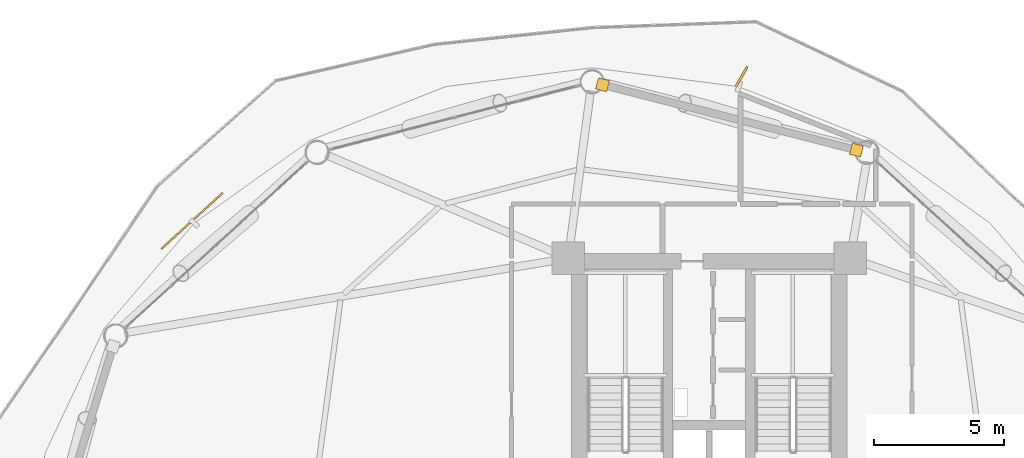
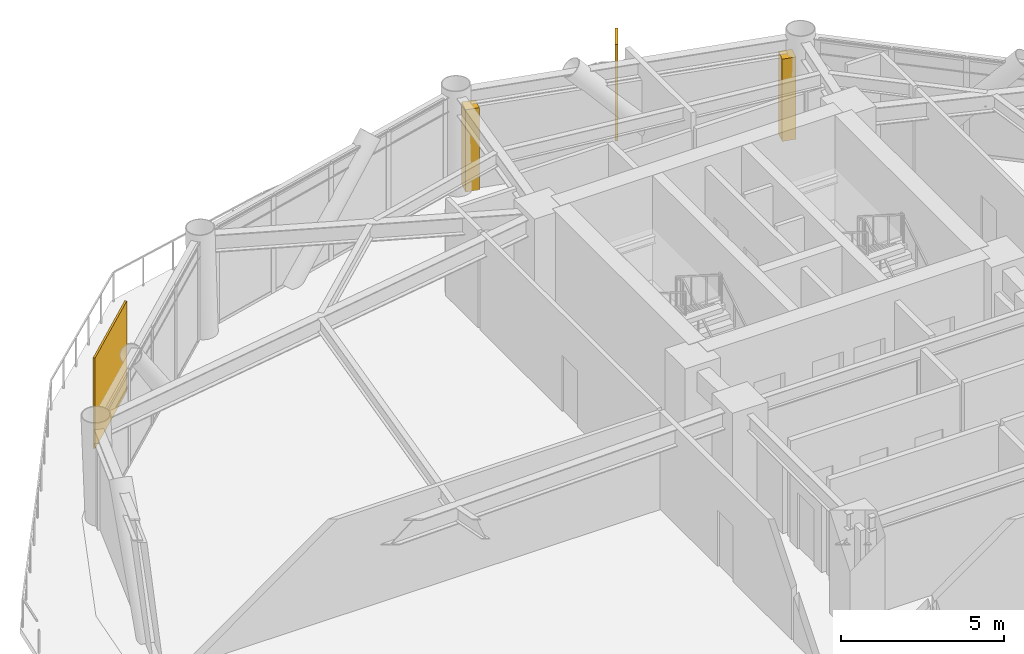
# One storey, part 25 of 25: 2 coverings, 2 shading devices.
"""IFC4 building model written with IfcOpenShell, lengths in metres."""

from ifc_helpers import new_model, si_unit, direction, frame, origin, origin_2d, place, context, subcontext, project, spatial, rectangle, extrude, source, transform, mapped, material, layer, layer_set, type_object, type_shapes, element, save


model = new_model("IFC4")

# Units and contexts
model_context = context("Model", 3, precision=1e-05, world=origin(), true_north=direction((0.0, 1.0)))
body_context = subcontext(model_context, "Body", "Model", "MODEL_VIEW")
ifc_project = project(units=[si_unit("LENGTHUNIT", "METRE"), si_unit("AREAUNIT", "SQUARE_METRE"), si_unit("VOLUMEUNIT", "CUBIC_METRE"), si_unit("PLANEANGLEUNIT", "RADIAN"), si_unit("MASSUNIT", "GRAM", prefix="KILO")], contexts=[model_context])

# Site, building, storey
site_placement = place(None, origin())
site = spatial("IfcSite", under=ifc_project, at=site_placement, CompositionType="ELEMENT")
building_placement = place(site_placement, origin())
building = spatial("IfcBuilding", under=site, at=building_placement, Name="Varnakorn Sky Granary", CompositionType="ELEMENT")
storey_placement = place(building_placement, frame((0.0, 0.0, 54.89990234375)))
storey = spatial("IfcBuildingStorey", under=building, at=storey_placement, Name="L13", CompositionType="ELEMENT", Elevation=54.89990234375)

# Shading device
ifc_material = material(Name="Anodised Bronze Aluminium Alloy 6063-T6", Category="aluminium")
shading_device_type_1 = type_object("IfcShadingDeviceType", Name="SH-FIN-01", PredefinedType="USERDEFINED", material=ifc_material)
shared_shape_1 = source(origin(), body_context, "Body", "SweptSolid", [
    extrude(rectangle(XDim=0.0849609375, YDim=0.8798828125, at=origin_2d()), origin(), (0.0, 0.0, 1.0), 3.60009765625),
])
type_shapes(shading_device_type_1, [shared_shape_1])
shading_device_1_placement = place(storey_placement, frame((4.246826171875, 19.597412109375, -0.0400390625), z_axis=(0.0, 0.0, 1.0), x_axis=(-0.867679822068, 0.497123451846, 0.0)))
element("IfcShadingDevice", 1, at=shading_device_1_placement, inside=storey, type_object=shading_device_type_1, Name="Bronze Solar-Tracking Vertical Blade FIN L13-03", ObjectType="FIN", PredefinedType="USERDEFINED", context=body_context, shape_type="MappedRepresentation", body=[
    mapped(shared_shape_1, transform((0.0, 0.0, 0.0), x_axis=(1.0, 0.0, 0.0), y_axis=(0.0, 1.0, 0.0), z_axis=(0.0, 0.0, 1.0), scale=1.0)),
])

# Coverings
ifc_layer = layer(ifc_material, 0.050048828125, Name="Anodised Bronze Aluminium Alloy 6063-T6")
ifc_layer_set = layer_set([ifc_layer], Name="Anodised Bronze Aluminium Alloy 6063-T6")
covering_type = type_object("IfcCoveringType", Name="CV-CLAD-50", PredefinedType="CLADDING", material=ifc_layer_set)
shared_shape_2 = source(origin(), body_context, "Body", "SweptSolid", [
    extrude(rectangle(XDim=0.43994140625, YDim=0.43994140625, at=origin_2d()), origin(), (0.0, 0.0, 1.0), 3.080078125),
])
type_shapes(covering_type, [shared_shape_2])
for number, where, z_axis, x_axis, name in (
    (2, (-1.10107421875, 19.284423828125, -0.02001953125), (0.0, 0.0, 1.0), (0.968496292974, -0.249027971312, 0.0), "Bronze Corner Pilaster Closure L13-P03-A"),
    (3, (8.660400390625, 16.775390625, -0.02001953125), (0.0, 0.0, 1.0), (0.968496292974, -0.249027971312, 0.0), "Bronze Corner Pilaster Closure L13-P03-B"),
):
    element("IfcCovering", number, at=place(storey_placement, frame(where, z_axis=z_axis, x_axis=x_axis)), inside=storey, type_object=covering_type, Name=name, PredefinedType="CLADDING", context=body_context, shape_type="MappedRepresentation", body=[
        mapped(shared_shape_2, transform((0.0, 0.0, 0.0), x_axis=(1.0, 0.0, 0.0), y_axis=(0.0, 1.0, 0.0), z_axis=(0.0, 0.0, 1.0), scale=1.0)),
    ])

# Shading device
shading_device_type_2 = type_object("IfcShadingDeviceType", Name="SH-SCR-01", PredefinedType="USERDEFINED", material=ifc_material)
shared_shape_3 = source(origin(), body_context, "Body", "SweptSolid", [
    extrude(rectangle(XDim=3.199951171875, YDim=0.06494140625, at=origin_2d()), origin(), (0.0, 0.0, 1.0), 3.39990234375),
])
type_shapes(shading_device_type_2, [shared_shape_3])
shading_device_2_placement = place(storey_placement, frame((-16.8828125, 14.04736328125, -0.039794921875), z_axis=(0.0, 0.0, 1.0), x_axis=(-0.739064739, -0.673634404976, 0.0)))
element("IfcShadingDevice", 4, at=shading_device_2_placement, inside=storey, type_object=shading_device_type_2, Name="Perforated Bronze Solar Screen Panel SCREEN L13-05", ObjectType="SCREEN", PredefinedType="USERDEFINED", context=body_context, shape_type="MappedRepresentation", body=[
    mapped(shared_shape_3, transform((0.0, 0.0, 0.0), x_axis=(1.0, 0.0, 0.0), y_axis=(0.0, 1.0, 0.0), z_axis=(0.0, 0.0, 1.0), scale=1.0)),
])

save(model, "model.ifc")
